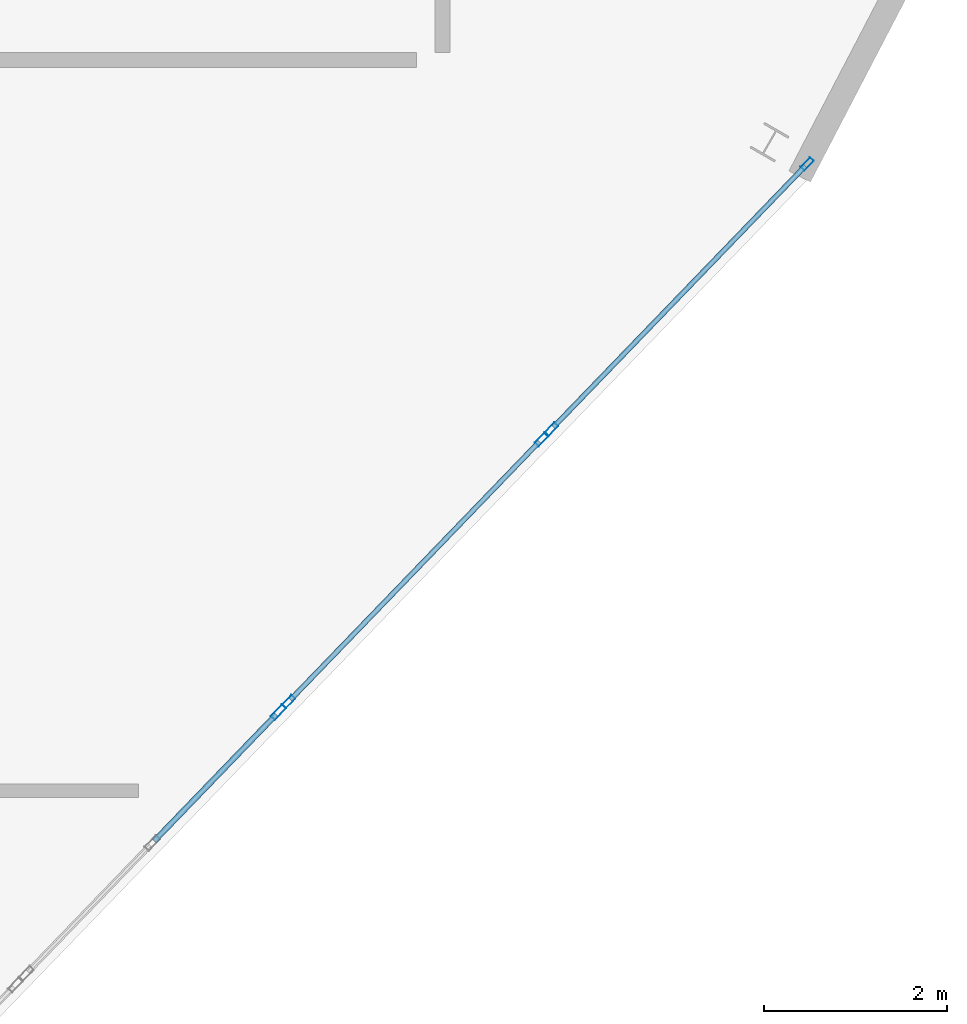
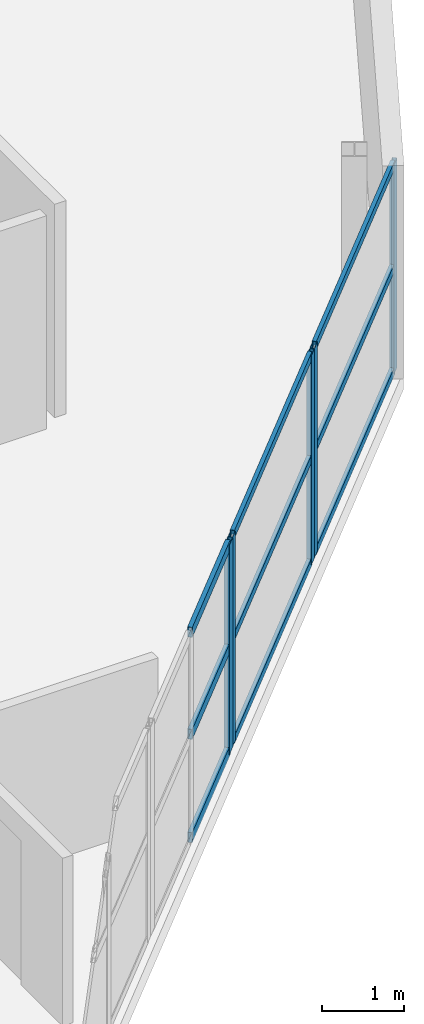
# One storey, part 21 of 35: 14 members, 3 elements without a shape of their own.
"""IFC4 building model written with IfcOpenShell, lengths in metres."""

from ifc_helpers import new_model, si_unit, direction, frame, origin, origin_2d, place, context, subcontext, project, spatial, hollow_rectangle, extrude, material, layer, layer_set, material_profile, profile_set, type_object, element, aggregate, save


model = new_model("IFC4")

# Units and contexts
model_context = context("Model", 3, precision=1e-05, world=origin(), true_north=direction((0.0, 1.0)))
body_context = subcontext(model_context, "Body", "Model", "MODEL_VIEW")
ifc_project = project(units=[si_unit("LENGTHUNIT", "METRE"), si_unit("AREAUNIT", "SQUARE_METRE"), si_unit("VOLUMEUNIT", "CUBIC_METRE"), si_unit("PLANEANGLEUNIT", "RADIAN"), si_unit("MASSUNIT", "GRAM", prefix="KILO")], contexts=[model_context])

# Site, building, storey
site_placement = place(None, origin())
site = spatial("IfcSite", under=ifc_project, at=site_placement, CompositionType="ELEMENT")
building_placement = place(site_placement, origin())
building = spatial("IfcBuilding", under=site, at=building_placement, Name="Kalgoora Escarpment Arena", CompositionType="ELEMENT")
storey_placement = place(building_placement, frame((0.0, 0.0, 23.39990234375)))
storey = spatial("IfcBuildingStorey", under=building, at=storey_placement, Name="L05", CompositionType="ELEMENT", Elevation=23.39990234375)

# Curtain wall, members
ifc_material_1 = material(Name=" Champagne anodised aluminium & double-glazed low-E", Category="aluminium")
ifc_layer_1 = layer(ifc_material_1, 0.166015625)
ifc_layer_set_1 = layer_set([ifc_layer_1], Name="CW-UNIT-19")
curtain_wall_type_1 = type_object("IfcCurtainWallType", Name="CW-UNIT-19", PredefinedType="NOTDEFINED", material=ifc_layer_set_1)
curtain_wall_1_placement = place(storey_placement, origin())
curtain_wall_1 = element("IfcCurtainWall", 1, at=curtain_wall_1_placement, inside=storey, type_object=curtain_wall_type_1, Name="L05 unitised facade curtain wall 178", PredefinedType="NOTDEFINED")
ifc_material_2 = material(Name="Anodised aluminium 6063-T6", Category="aluminium")
ifc_material_profile_1 = material_profile(ifc_material_2, hollow_rectangle(XDim=0.06005859375, YDim=0.14990234375, WallThickness=0.00341796875, at=origin_2d()))
ifc_profile_set_1 = profile_set([ifc_material_profile_1], Name="Anodised aluminium 6063-T6")
member_type_1 = type_object("IfcMemberType", Name="MEM-CW-MULL-150", PredefinedType="MULLION", material=ifc_profile_set_1)
member_1_placement = place(storey_placement, frame((154.992919921875, 35.26171875, 0.02001953125), z_axis=(0.0, 0.0, 1.0), x_axis=(0.719779772297, -0.69420247723, 0.0)))
member_1 = element("IfcMember", 2, at=member_1_placement, type_object=member_type_1, Name="CW-19 mullion 1", PredefinedType="MULLION", context=body_context, shape_type="SweptSolid", body=[
    extrude(hollow_rectangle(XDim=0.06005859375, YDim=0.14990234375, WallThickness=0.00341796875, at=origin_2d()), origin(), (0.0, 0.0, 1.0), 3.1201171875),
])
member_2_placement = place(storey_placement, frame((152.19287109375, 32.3583984375, 0.02001953125), z_axis=(0.0, 0.0, 1.0), x_axis=(0.719779772297, -0.69420247723, 0.0)))
member_2 = element("IfcMember", 3, at=member_2_placement, type_object=member_type_1, Name="CW-19 mullion 2", PredefinedType="MULLION", context=body_context, shape_type="SweptSolid", body=[
    extrude(hollow_rectangle(XDim=0.06005859375, YDim=0.14990234375, WallThickness=0.00341796875, at=origin_2d()), origin(), (0.0, 0.0, 1.0), 3.1201171875),
])

ifc_material_3 = material(Name=" Champagne anodised aluminium & double-glazed low-E", Category="aluminium")
ifc_layer_2 = layer(ifc_material_3, 0.14990234375)
ifc_layer_set_2 = layer_set([ifc_layer_2], Name="CW-UNIT-20")
curtain_wall_type_2 = type_object("IfcCurtainWallType", Name="CW-UNIT-20", PredefinedType="NOTDEFINED", material=ifc_layer_set_2)
curtain_wall_2_placement = place(storey_placement, origin())
curtain_wall_2 = element("IfcCurtainWall", 4, at=curtain_wall_2_placement, inside=storey, type_object=curtain_wall_type_2, Name="L05 unitised facade curtain wall 179", PredefinedType="NOTDEFINED")
member_3_placement = place(storey_placement, frame((152.081787109375, 32.243408203125, 0.02001953125), z_axis=(0.0, 0.0, 1.0), x_axis=(0.719777208849, -0.694205135116, 0.0)))
member_3 = element("IfcMember", 5, at=member_3_placement, type_object=member_type_1, Name="CW-20 mullion 1", PredefinedType="MULLION", context=body_context, shape_type="SweptSolid", body=[
    extrude(hollow_rectangle(XDim=0.06005859375, YDim=0.14990234375, WallThickness=0.00341796875, at=origin_2d()), origin(), (0.0, 0.0, 1.0), 3.1201171875),
])
member_4_placement = place(storey_placement, frame((149.31640625, 29.376220703125, 0.02001953125), z_axis=(0.0, 0.0, 1.0), x_axis=(0.719777208849, -0.694205135116, 0.0)))
member_4 = element("IfcMember", 6, at=member_4_placement, type_object=member_type_1, Name="CW-20 mullion 2", PredefinedType="MULLION", context=body_context, shape_type="SweptSolid", body=[
    extrude(hollow_rectangle(XDim=0.06005859375, YDim=0.14990234375, WallThickness=0.00341796875, at=origin_2d()), origin(), (0.0, 0.0, 1.0), 3.1201171875),
])

# Curtain wall, member
ifc_material_4 = material(Name=" Champagne anodised aluminium & double-glazed low-E", Category="aluminium")
ifc_layer_3 = layer(ifc_material_4, 0.154052734375)
ifc_layer_set_3 = layer_set([ifc_layer_3], Name="CW-UNIT-01")
curtain_wall_type_3 = type_object("IfcCurtainWallType", Name="CW-UNIT-01", PredefinedType="NOTDEFINED", material=ifc_layer_set_3)
curtain_wall_3_placement = place(storey_placement, origin())
curtain_wall_3 = element("IfcCurtainWall", 7, at=curtain_wall_3_placement, inside=storey, type_object=curtain_wall_type_3, Name="L05 unitised facade curtain wall 180", PredefinedType="NOTDEFINED")
ifc_material_5 = material(Name="Anodised aluminium 6063-T6", Category="aluminium")
ifc_material_profile_2 = material_profile(ifc_material_5, hollow_rectangle(XDim=0.06494140625, YDim=0.179931640625, WallThickness=0.00390625, at=origin_2d()))
ifc_profile_set_2 = profile_set([ifc_material_profile_2], Name="Anodised aluminium 6063-T6")
member_type_2 = type_object("IfcMemberType", Name="MEM-CW-MULL-180", PredefinedType="MULLION", material=ifc_profile_set_2)
member_5_placement = place(storey_placement, frame((149.203857421875, 29.25927734375, 0.02001953125), z_axis=(0.0, 0.0, 1.0), x_axis=(0.719777208849, -0.694205135116, 0.0)))
member_5 = element("IfcMember", 8, at=member_5_placement, type_object=member_type_2, Name="CW-01 mullion 1", PredefinedType="MULLION", context=body_context, shape_type="SweptSolid", body=[
    extrude(hollow_rectangle(XDim=0.06494140625, YDim=0.179931640625, WallThickness=0.00390625, at=origin_2d()), origin(), (0.0, 0.0, 1.0), 3.1201171875),
])

# Member
ifc_material_6 = material(Name="Anodised aluminium 6063-T6", Category="aluminium")
ifc_material_profile_3 = material_profile(ifc_material_6, hollow_rectangle(XDim=0.054931640625, YDim=0.1201171875, WallThickness=0.003173828125, at=origin_2d()))
ifc_profile_set_3 = profile_set([ifc_material_profile_3], Name="Anodised aluminium 6063-T6")
member_type_3 = type_object("IfcMemberType", Name="MEM-CW-TRAN-120", PredefinedType="USERDEFINED", material=ifc_profile_set_3)
member_6_placement = place(storey_placement, frame((154.97216796875, 35.240234375, 0.047607421875), z_axis=(-0.69417991524, -0.719801531867, 0.0), x_axis=(0.719801531867, -0.69417991524, 0.0)))
member_6 = element("IfcMember", 9, at=member_6_placement, type_object=member_type_3, Name="CW-19 transom 1.1", ObjectType="TRANSOM", PredefinedType="USERDEFINED", context=body_context, shape_type="SweptSolid", body=[
    extrude(hollow_rectangle(XDim=0.054931640625, YDim=0.1201171875, WallThickness=0.003173828125, at=origin_2d()), origin(), (0.0, 0.0, 1.0), 3.973388671875),
])

member_7_placement = place(storey_placement, frame((154.97216796875, 35.240234375, 1.590087890625), z_axis=(-0.69417991524, -0.719801531867, 0.0), x_axis=(0.719801531867, -0.69417991524, 0.0)))
member_7 = element("IfcMember", 10, at=member_7_placement, type_object=member_type_3, Name="CW-19 transom 1.2", ObjectType="TRANSOM", PredefinedType="USERDEFINED", context=body_context, shape_type="SweptSolid", body=[
    extrude(hollow_rectangle(XDim=0.054931640625, YDim=0.1201171875, WallThickness=0.003173828125, at=origin_2d()), origin(), (0.0, 0.0, 1.0), 3.973388671875),
])

member_8_placement = place(storey_placement, frame((154.97216796875, 35.240234375, 3.112548828125), z_axis=(-0.69417991524, -0.719801531867, 0.0), x_axis=(0.719801531867, -0.69417991524, 0.0)))
member_8 = element("IfcMember", 11, at=member_8_placement, type_object=member_type_3, Name="CW-19 transom 1.3", ObjectType="TRANSOM", PredefinedType="USERDEFINED", context=body_context, shape_type="SweptSolid", body=[
    extrude(hollow_rectangle(XDim=0.054931640625, YDim=0.1201171875, WallThickness=0.003173828125, at=origin_2d()), origin(), (0.0, 0.0, 1.0), 3.973388671875),
])

aggregate(curtain_wall_1, [member_1, member_2, member_6, member_7, member_8])

member_9_placement = place(storey_placement, frame((152.06103515625, 32.221923828125, 0.047607421875), z_axis=(-0.694172418863, -0.719808761331, 0.0), x_axis=(0.719808761331, -0.694172418863, 0.0)))
member_9 = element("IfcMember", 12, at=member_9_placement, type_object=member_type_3, Name="CW-20 transom 1.1", ObjectType="TRANSOM", PredefinedType="USERDEFINED", context=body_context, shape_type="SweptSolid", body=[
    extrude(hollow_rectangle(XDim=0.054931640625, YDim=0.1201171875, WallThickness=0.003173828125, at=origin_2d()), origin(), (0.0, 0.0, 1.0), 3.923583984375),
])

member_10_placement = place(storey_placement, frame((152.06103515625, 32.221923828125, 1.590087890625), z_axis=(-0.694172418863, -0.719808761331, 0.0), x_axis=(0.719808761331, -0.694172418863, 0.0)))
member_10 = element("IfcMember", 13, at=member_10_placement, type_object=member_type_3, Name="CW-20 transom 1.2", ObjectType="TRANSOM", PredefinedType="USERDEFINED", context=body_context, shape_type="SweptSolid", body=[
    extrude(hollow_rectangle(XDim=0.054931640625, YDim=0.1201171875, WallThickness=0.003173828125, at=origin_2d()), origin(), (0.0, 0.0, 1.0), 3.923583984375),
])

member_11_placement = place(storey_placement, frame((152.06103515625, 32.221923828125, 3.112548828125), z_axis=(-0.694172418863, -0.719808761331, 0.0), x_axis=(0.719808761331, -0.694172418863, 0.0)))
member_11 = element("IfcMember", 14, at=member_11_placement, type_object=member_type_3, Name="CW-20 transom 1.3", ObjectType="TRANSOM", PredefinedType="USERDEFINED", context=body_context, shape_type="SweptSolid", body=[
    extrude(hollow_rectangle(XDim=0.054931640625, YDim=0.1201171875, WallThickness=0.003173828125, at=origin_2d()), origin(), (0.0, 0.0, 1.0), 3.923583984375),
])

aggregate(curtain_wall_2, [member_3, member_4, member_9, member_10, member_11])

ifc_material_7 = material(Name="Anodised aluminium 6063-T6", Category="aluminium")
ifc_material_profile_4 = material_profile(ifc_material_7, hollow_rectangle(XDim=0.06005859375, YDim=0.14990234375, WallThickness=0.00341796875, at=origin_2d()))
ifc_profile_set_4 = profile_set([ifc_material_profile_4], Name="Anodised aluminium 6063-T6")
member_type_4 = type_object("IfcMemberType", Name="MEM-CW-TRAN-150", PredefinedType="USERDEFINED", material=ifc_profile_set_4)
member_12_placement = place(storey_placement, frame((149.18115234375, 29.23583984375, 0.050048828125), z_axis=(-0.694175487683, -0.719805801796, 0.0), x_axis=(0.719805801796, -0.694175487683, 0.0)))
member_12 = element("IfcMember", 15, at=member_12_placement, type_object=member_type_4, Name="CW-01 transom 1.1", ObjectType="TRANSOM", PredefinedType="USERDEFINED", context=body_context, shape_type="SweptSolid", body=[
    extrude(hollow_rectangle(XDim=0.06005859375, YDim=0.14990234375, WallThickness=0.00341796875, at=origin_2d()), origin(), (0.0, 0.0, 1.0), 1.924072265625),
])

member_13_placement = place(storey_placement, frame((149.18115234375, 29.23583984375, 1.590087890625), z_axis=(-0.694175487683, -0.719805801796, 0.0), x_axis=(0.719805801796, -0.694175487683, 0.0)))
member_13 = element("IfcMember", 16, at=member_13_placement, type_object=member_type_4, Name="CW-01 transom 1.2", ObjectType="TRANSOM", PredefinedType="USERDEFINED", context=body_context, shape_type="SweptSolid", body=[
    extrude(hollow_rectangle(XDim=0.06005859375, YDim=0.14990234375, WallThickness=0.00341796875, at=origin_2d()), origin(), (0.0, 0.0, 1.0), 1.924072265625),
])

member_14_placement = place(storey_placement, frame((149.18115234375, 29.23583984375, 3.110107421875), z_axis=(-0.694175487683, -0.719805801796, 0.0), x_axis=(0.719805801796, -0.694175487683, 0.0)))
member_14 = element("IfcMember", 17, at=member_14_placement, type_object=member_type_4, Name="CW-01 transom 1.3", ObjectType="TRANSOM", PredefinedType="USERDEFINED", context=body_context, shape_type="SweptSolid", body=[
    extrude(hollow_rectangle(XDim=0.06005859375, YDim=0.14990234375, WallThickness=0.00341796875, at=origin_2d()), origin(), (0.0, 0.0, 1.0), 1.924072265625),
])

aggregate(curtain_wall_3, [member_5, member_12, member_13, member_14])

save(model, "model.ifc")
